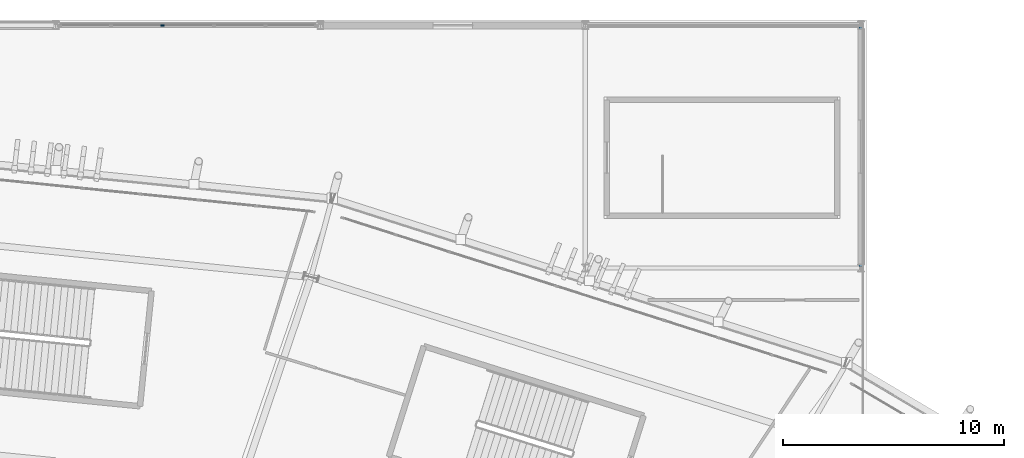
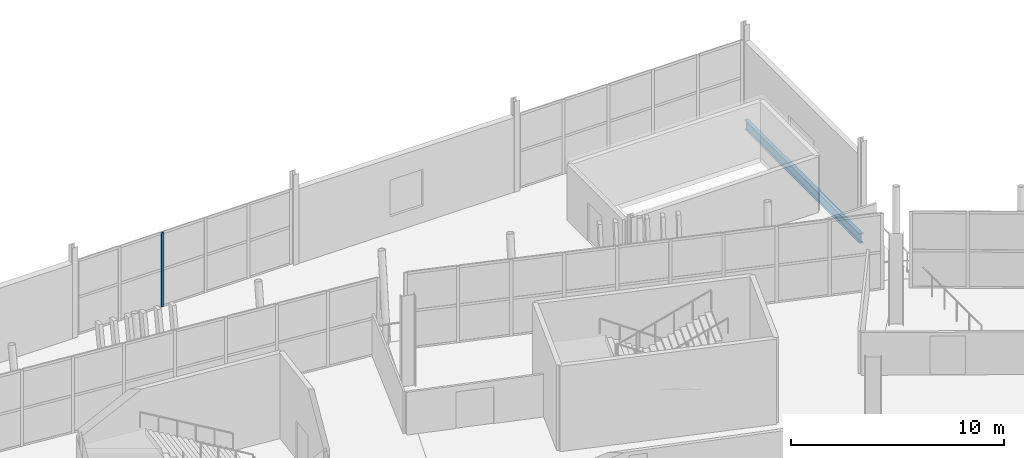
# One storey, part 79 of 168: 1 beam, 1 member, 1 element without a shape of its own.
"""IFC4 building model written with IfcOpenShell, lengths in metres."""

from ifc_helpers import new_model, si_unit, direction, frame, origin, origin_2d, place, context, subcontext, project, spatial, rectangle, i_section, extrude, material, material_profile, profile_set, type_object, element, aggregate, save


model = new_model("IFC4")

# Units and contexts
model_context = context("Model", 3, precision=1e-05, world=origin(), true_north=direction((0.0, 1.0)))
body_context = subcontext(model_context, "Body", "Model", "MODEL_VIEW")
ifc_project = project(units=[si_unit("LENGTHUNIT", "METRE"), si_unit("AREAUNIT", "SQUARE_METRE"), si_unit("VOLUMEUNIT", "CUBIC_METRE"), si_unit("PLANEANGLEUNIT", "RADIAN"), si_unit("MASSUNIT", "GRAM", prefix="KILO")], contexts=[model_context])

# Site, building, storey
site_placement = place(None, origin())
site = spatial("IfcSite", under=ifc_project, at=site_placement, CompositionType="ELEMENT")
building_placement = place(site_placement, origin())
building = spatial("IfcBuilding", under=site, at=building_placement, Name="Zlatoyarsky Gate Stadium", CompositionType="ELEMENT")
storey_placement = place(building_placement, frame((0.0, 0.0, 15.60009765625)))
storey = spatial("IfcBuildingStorey", under=building, at=storey_placement, Name="L03", CompositionType="ELEMENT", Elevation=15.60009765625)

# Curtain wall, member
ifc_material_1 = material(Name="Thermally broken anodised aluminium curtain wall", Category="aluminium")
curtain_wall_type = type_object("IfcCurtainWallType", Name="WINTER GARDEN CONSERVATORY GLAZING", PredefinedType="USERDEFINED", material=ifc_material_1)
curtain_wall_placement = place(storey_placement, origin())
curtain_wall = element("IfcCurtainWall", 1, at=curtain_wall_placement, inside=storey, type_object=curtain_wall_type, Name="Curtain wall CW-V2_NORTH-L03-155", ObjectType="UNITISED GLAZING", PredefinedType="USERDEFINED")
ifc_material_2 = material(Name="Anodised aluminium 6063-T6", Category="aluminium")
ifc_material_profile_1 = material_profile(ifc_material_2, rectangle(XDim=0.06494140625, YDim=0.159912109375, at=origin_2d()), Name="ALU 65X160")
ifc_profile_set_1 = profile_set([ifc_material_profile_1], Name="Anodised aluminium 6063-T6")
member_type = type_object("IfcMemberType", Name="ALUMINIUM MULLION 65X160", PredefinedType="MULLION", material=ifc_profile_set_1)
member_placement = place(storey_placement, frame((128.33251953125, 160.0, 0.0), z_axis=(0.0, 0.0, 1.0), x_axis=(0.0, 1.0, 0.0)))
member = element("IfcMember", 2, at=member_placement, type_object=member_type, Name="CW-WG1 mullion 3", PredefinedType="MULLION", context=body_context, shape_type="SweptSolid", body=[
    extrude(rectangle(XDim=0.06494140625, YDim=0.159912109375, at=origin_2d()), origin(), (0.0, 0.0, 1.0), 4.27978515625),
])
aggregate(curtain_wall, [member])

# Beam
ifc_material_3 = material(Name="Steel S355", Category="steel")
ifc_material_profile_2 = material_profile(ifc_material_3, i_section(OverallWidth=0.2099609375, OverallDepth=0.550048828125, WebThickness=0.010986328125, FlangeThickness=0.01708984375, FilletRadius=0.02392578125, at=origin_2d()), Name="IPE 550")
ifc_profile_set_2 = profile_set([ifc_material_profile_2], Name="Steel S355")
beam_type = type_object("IfcBeamType", Name="STEEL FLOOR BEAM IPE 550", PredefinedType="BEAM", material=ifc_profile_set_2)
beam_placement = place(storey_placement, frame((160.0, 149.080078125, -0.55517578125), z_axis=(0.0, 1.0, 0.0), x_axis=(-1.0, 0.0, 0.0)))
element("IfcBeam", 3, at=beam_placement, inside=storey, type_object=beam_type, Name="Beam B-IPE550 BM-L03-WGY-14-P", PredefinedType="BEAM", context=body_context, shape_type="SweptSolid", body=[
    extrude(i_section(OverallWidth=0.2099609375, OverallDepth=0.550048828125, WebThickness=0.010986328125, FlangeThickness=0.01708984375, FilletRadius=0.02392578125, at=origin_2d()), origin(), (0.0, 0.0, 1.0), 10.83984375),
])

save(model, "model.ifc")
